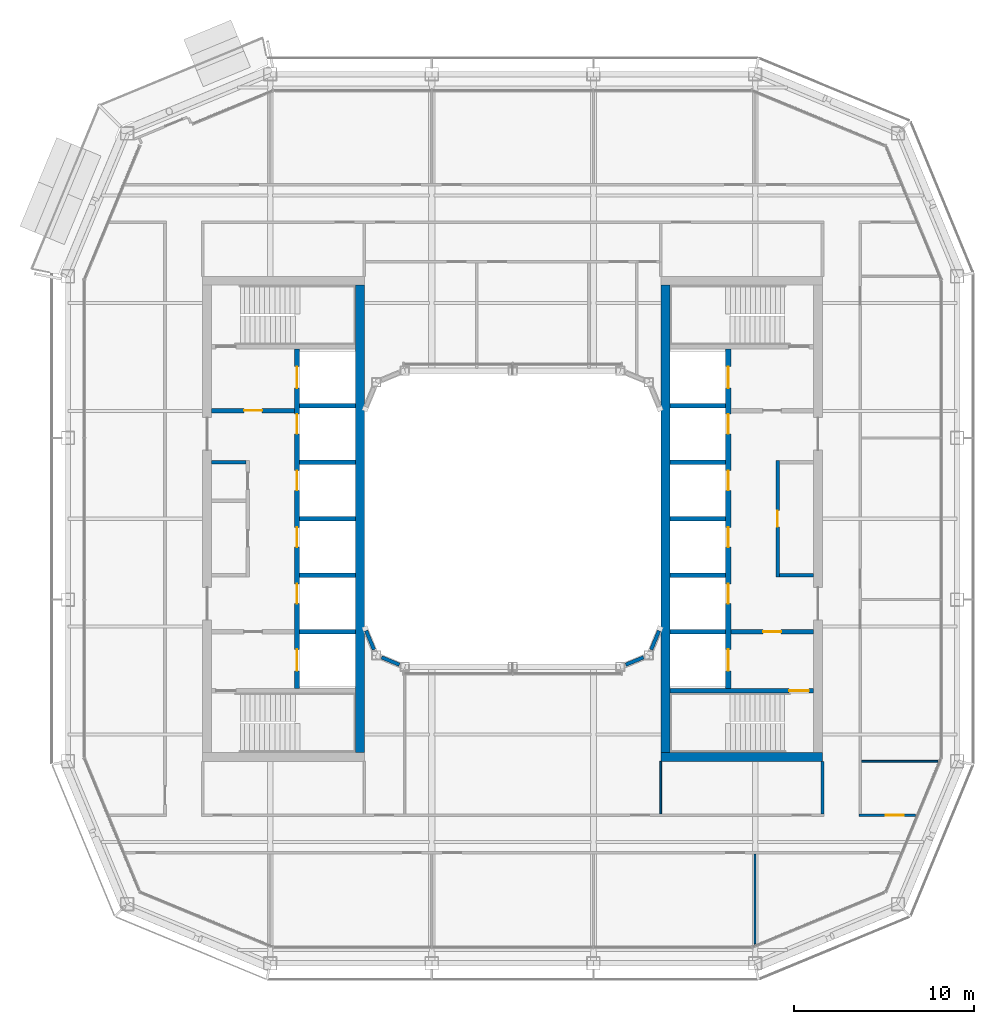
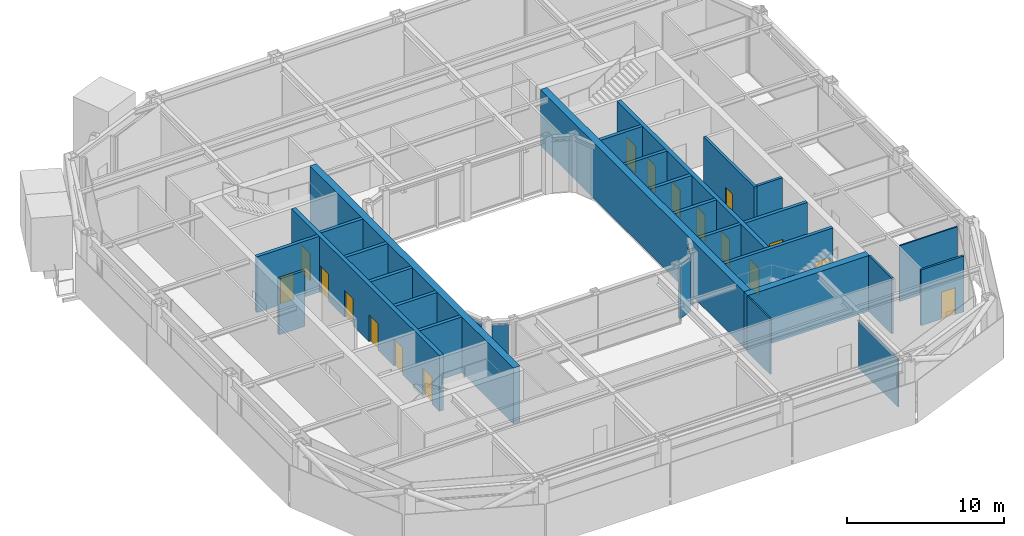
# One storey, part 12 of 21: 30 walls, 17 doors, 17 openings.
"""IFC4 building model written with IfcOpenShell, lengths in metres."""

from ifc_helpers import new_model, si_unit, direction, frame, frame_2d, origin, place, context, subcontext, project, spatial, rectangle, extrude, material, layer, layer_set, type_object, element, fill, save


model = new_model("IFC4")

# Units and contexts
model_context = context("Model", 3, precision=1e-05, world=origin(), true_north=direction((0.0, 1.0)))
body_context = subcontext(model_context, "Body", "Model", "MODEL_VIEW")
ifc_project = project(units=[si_unit("LENGTHUNIT", "METRE"), si_unit("AREAUNIT", "SQUARE_METRE"), si_unit("VOLUMEUNIT", "CUBIC_METRE"), si_unit("PLANEANGLEUNIT", "RADIAN"), si_unit("MASSUNIT", "GRAM", prefix="KILO")], contexts=[model_context])

# Site, building, storey
site_placement = place(None, origin())
site = spatial("IfcSite", under=ifc_project, at=site_placement, CompositionType="ELEMENT")
building_placement = place(site_placement, origin())
building = spatial("IfcBuilding", under=site, at=building_placement, Name="Siwar Civic Tower", CompositionType="ELEMENT")
storey_placement = place(building_placement, frame((0.0, 0.0, 294.199951171875)))
storey = spatial("IfcBuildingStorey", under=building, at=storey_placement, Name="L63", CompositionType="ELEMENT", Elevation=294.199951171875)

# Wall
ifc_material_1 = material(Name="Gypsum board on steel studs", Category="steel")
ifc_layer_1 = layer(ifc_material_1, 0.199951171875)
ifc_layer_set_1 = layer_set([ifc_layer_1], Name="Gypsum board on steel studs")
wall_type_1 = type_object("IfcWallType", Name="CORE-PARTITION-200", PredefinedType="PARTITIONING", material=ifc_layer_set_1)
wall_1_placement = place(storey_placement, frame((-14.85009765625, 3.14990234375, 0.0), z_axis=(0.0, 0.0, 1.0), x_axis=(-1.0, 0.0, 0.0)))
element("IfcWall", 1, at=wall_1_placement, inside=storey, type_object=wall_type_1, Name="Core partition W", PredefinedType="PARTITIONING", context=body_context, shape_type="SweptSolid", body=[
    extrude(rectangle(XDim=1.89990234375, YDim=0.199951171875, at=frame_2d((0.949951171875, 0.0))), origin(), (0.0, 0.0, 1.0), 4.35009765625),
])

# Wall, opening, door
wall_2_placement = place(storey_placement, frame((14.75, -3.25, 0.0), z_axis=(0.0, 0.0, 1.0), x_axis=(0.0, 1.0, 0.0)))
wall_2 = element("IfcWall", 2, at=wall_2_placement, inside=storey, type_object=wall_type_1, Name="Core partition E", PredefinedType="PARTITIONING", context=body_context, shape_type="SweptSolid", body=[
    extrude(rectangle(XDim=6.5, YDim=0.199951171875, at=frame_2d((3.25, 0.0))), origin(), (0.0, 0.0, 1.0), 4.35009765625),
])
opening_1_placement = place(wall_2_placement, frame((2.800048828125, 0.0, 0.0)))
opening_1 = element("IfcOpeningElement", 3, at=opening_1_placement, cuts=wall_2, Name="Opening L63-CE13", PredefinedType="OPENING", context=body_context, shape_type="SweptSolid", body=[
    extrude(rectangle(XDim=0.89990234375, YDim=2.10009765625, at=frame_2d((0.449951171875, 1.050048828125))), frame((0.0, 0.10986328125, 0.0), z_axis=(0.0, -1.0, 0.0), x_axis=(1.0, 0.0, 0.0)), (0.0, 0.0, 1.0), 0.219970703125),
])
ifc_material_2 = material(Name="Steel door leaf", Category="steel")
door_type_1 = type_object("IfcDoorType", Name="CORE-DOOR-ROOM", OperationType="SINGLE_SWING_LEFT", PredefinedType="DOOR", material=ifc_material_2)
door_1_placement = place(opening_1_placement, origin())
door_1 = element("IfcDoor", 4, at=door_1_placement, inside=storey, type_object=door_type_1, Name="Core room door L63-CE13", OperationType="SINGLE_SWING_LEFT", OverallHeight=2.10009765625, OverallWidth=0.89990234375, PredefinedType="DOOR", context=body_context, shape_type="SweptSolid", body=[
    extrude(rectangle(XDim=0.89990234375, YDim=2.10009765625, at=frame_2d((0.449951171875, 1.050048828125))), frame((0.0, 0.02490234375, 0.0), z_axis=(0.0, -1.0, 0.0), x_axis=(1.0, 0.0, 0.0)), (0.0, 0.0, 1.0), 0.050048828125),
])
fill(opening_1, door_1)

# Wall
wall_3_placement = place(storey_placement, frame((14.85009765625, -3.14990234375, 0.0), z_axis=(0.0, 0.0, 1.0), x_axis=(1.0, 0.0, 0.0)))
element("IfcWall", 5, at=wall_3_placement, inside=storey, type_object=wall_type_1, Name="Core partition E", PredefinedType="PARTITIONING", context=body_context, shape_type="SweptSolid", body=[
    extrude(rectangle(XDim=1.89990234375, YDim=0.199951171875, at=frame_2d((0.949951171875, 0.0))), origin(), (0.0, 0.0, 1.0), 4.35009765625),
])

# Wall, opening, door
ifc_material_3 = material(Name="Concrete C60/75", Category="concrete")
ifc_layer_2 = layer(ifc_material_3, 0.25)
ifc_layer_set_2 = layer_set([ifc_layer_2], Name="Concrete C60/75")
wall_type_2 = type_object("IfcWallType", Name="CORE-WALL-RC250", PredefinedType="SHEAR", material=ifc_layer_set_2)
wall_4_placement = place(storey_placement, frame((-12.14990234375, 6.02490234375, 0.0), z_axis=(0.0, 0.0, 1.0), x_axis=(-1.0, 0.0, 0.0)))
wall_4 = element("IfcWall", 6, at=wall_4_placement, inside=storey, type_object=wall_type_2, Name="Core wall W", PredefinedType="SHEAR", context=body_context, shape_type="SweptSolid", body=[
    extrude(rectangle(XDim=4.60009765625, YDim=0.25, at=frame_2d((2.300048828125, 0.0))), origin(), (0.0, 0.0, 1.0), 4.35009765625),
])
opening_2_placement = place(wall_4_placement, frame((1.800048828125, 0.0, 0.0)))
opening_2 = element("IfcOpeningElement", 7, at=opening_2_placement, cuts=wall_4, Name="Opening L63-CW01", PredefinedType="OPENING", context=body_context, shape_type="SweptSolid", body=[
    extrude(rectangle(XDim=1.0, YDim=2.10009765625, at=frame_2d((0.5, 1.050048828125))), frame((0.0, 0.135009765625, 0.0), z_axis=(0.0, -1.0, 0.0), x_axis=(1.0, 0.0, 0.0)), (0.0, 0.0, 1.0), 0.27001953125),
])
ifc_material_4 = material(Name="Steel door leaf", Category="steel")
door_type_2 = type_object("IfcDoorType", Name="CORE-DOOR-FD30S", OperationType="SINGLE_SWING_LEFT", PredefinedType="DOOR", material=ifc_material_4)
door_2_placement = place(opening_2_placement, origin())
door_2 = element("IfcDoor", 8, at=door_2_placement, inside=storey, type_object=door_type_2, Name="Firefighting lobby door L63-CW01", OperationType="SINGLE_SWING_LEFT", OverallHeight=2.10009765625, OverallWidth=1.0, PredefinedType="DOOR", context=body_context, shape_type="SweptSolid", body=[
    extrude(rectangle(XDim=1.0, YDim=2.10009765625, at=frame_2d((0.5, 1.050048828125))), frame((0.0, 0.02490234375, 0.0), z_axis=(0.0, -1.0, 0.0), x_axis=(1.0, 0.0, 0.0)), (0.0, 0.0, 1.0), 0.050048828125),
])
fill(opening_2, door_2)

# Walls
for number, where, z_axis, x_axis, name in (
    (9, (-8.75, 0.0, 0.0), (0.0, 0.0, 1.0), (-1.0, 0.0, 0.0), "Core wall W"),
    (10, (-8.75, 3.14990234375, 0.0), (0.0, 0.0, 1.0), (-1.0, 0.0, 0.0), "Core wall W"),
    (11, (-8.75, 6.300048828125, 0.0), (0.0, 0.0, 1.0), (-1.0, 0.0, 0.0), "Core wall W"),
    (12, (-8.75, -3.14990234375, 0.0), (0.0, 0.0, 1.0), (-1.0, 0.0, 0.0), "Core wall W"),
    (13, (-8.75, -6.300048828125, 0.0), (0.0, 0.0, 1.0), (-1.0, 0.0, 0.0), "Core wall W"),
):
    element("IfcWall", number, at=place(storey_placement, frame(where, z_axis=z_axis, x_axis=x_axis)), inside=storey, type_object=wall_type_2, Name=name, PredefinedType="SHEAR", context=body_context, shape_type="SweptSolid", body=[
        extrude(rectangle(XDim=3.10009765625, YDim=0.25, at=frame_2d((1.550048828125, 0.0))), origin(), (0.0, 0.0, 1.0), 4.35009765625),
    ])

# Wall, opening, door
wall_5_placement = place(storey_placement, frame((12.14990234375, -6.300048828125, 0.0), z_axis=(0.0, 0.0, 1.0), x_axis=(1.0, 0.0, 0.0)))
wall_5 = element("IfcWall", 14, at=wall_5_placement, inside=storey, type_object=wall_type_2, Name="Core wall E", PredefinedType="SHEAR", context=body_context, shape_type="SweptSolid", body=[
    extrude(rectangle(XDim=4.60009765625, YDim=0.25, at=frame_2d((2.300048828125, 0.0))), origin(), (0.0, 0.0, 1.0), 4.35009765625),
])
opening_3_placement = place(wall_5_placement, frame((1.800048828125, 0.0, 0.0)))
opening_3 = element("IfcOpeningElement", 15, at=opening_3_placement, cuts=wall_5, Name="Opening L63-CE02", PredefinedType="OPENING", context=body_context, shape_type="SweptSolid", body=[
    extrude(rectangle(XDim=1.0, YDim=2.10009765625, at=frame_2d((0.5, 1.050048828125))), frame((0.0, 0.135009765625, 0.0), z_axis=(0.0, -1.0, 0.0), x_axis=(1.0, 0.0, 0.0)), (0.0, 0.0, 1.0), 0.27001953125),
])
door_3_placement = place(opening_3_placement, origin())
door_3 = element("IfcDoor", 16, at=door_3_placement, inside=storey, type_object=door_type_2, Name="Service lobby door L63-CE02", OperationType="SINGLE_SWING_LEFT", OverallHeight=2.10009765625, OverallWidth=1.0, PredefinedType="DOOR", context=body_context, shape_type="SweptSolid", body=[
    extrude(rectangle(XDim=1.0, YDim=2.10009765625, at=frame_2d((0.5, 1.050048828125))), frame((0.0, 0.02490234375, 0.0), z_axis=(0.0, -1.0, 0.0), x_axis=(1.0, 0.0, 0.0)), (0.0, 0.0, 1.0), 0.050048828125),
])
fill(opening_3, door_3)

# Walls
for number, where, z_axis, x_axis, name in (
    (17, (8.75, 0.0, 0.0), (0.0, 0.0, 1.0), (1.0, 0.0, 0.0), "Core wall E"),
    (18, (8.75, 3.14990234375, 0.0), (0.0, 0.0, 1.0), (1.0, 0.0, 0.0), "Core wall E"),
    (19, (8.75, 6.300048828125, 0.0), (0.0, 0.0, 1.0), (1.0, 0.0, 0.0), "Core wall E"),
    (20, (8.75, -3.14990234375, 0.0), (0.0, 0.0, 1.0), (1.0, 0.0, 0.0), "Core wall E"),
    (21, (8.75, -6.300048828125, 0.0), (0.0, 0.0, 1.0), (1.0, 0.0, 0.0), "Core wall E"),
):
    element("IfcWall", number, at=place(storey_placement, frame(where, z_axis=z_axis, x_axis=x_axis)), inside=storey, type_object=wall_type_2, Name=name, PredefinedType="SHEAR", context=body_context, shape_type="SweptSolid", body=[
        extrude(rectangle(XDim=3.10009765625, YDim=0.25, at=frame_2d((1.550048828125, 0.0))), origin(), (0.0, 0.0, 1.0), 4.35009765625),
    ])

# Wall, opening, door
wall_6_placement = place(storey_placement, frame((8.75, -9.574951171875, 0.0), z_axis=(0.0, 0.0, 1.0), x_axis=(1.0, 0.0, 0.0)))
wall_6 = element("IfcWall", 22, at=wall_6_placement, inside=storey, type_object=wall_type_2, Name="Core wall E", PredefinedType="SHEAR", context=body_context, shape_type="SweptSolid", body=[
    extrude(rectangle(XDim=8.0, YDim=0.25, at=frame_2d((4.0, 0.0))), origin(), (0.0, 0.0, 1.0), 4.35009765625),
])
opening_4_placement = place(wall_6_placement, frame((6.64990234375, 0.0, 0.0)))
opening_4 = element("IfcOpeningElement", 23, at=opening_4_placement, cuts=wall_6, Name="Opening L63-CE04", PredefinedType="OPENING", context=body_context, shape_type="SweptSolid", body=[
    extrude(rectangle(XDim=1.10009765625, YDim=2.10009765625, at=frame_2d((0.550048828125, 1.050048828125))), frame((0.0, 0.135009765625, 0.0), z_axis=(0.0, -1.0, 0.0), x_axis=(1.0, 0.0, 0.0)), (0.0, 0.0, 1.0), 0.27001953125),
])
ifc_material_5 = material(Name="Steel door leaf", Category="steel")
door_type_3 = type_object("IfcDoorType", Name="CORE-DOOR-FD60S", OperationType="SINGLE_SWING_LEFT", PredefinedType="DOOR", material=ifc_material_5)
door_4_placement = place(opening_4_placement, origin())
door_4 = element("IfcDoor", 24, at=door_4_placement, inside=storey, type_object=door_type_3, Name="Stair door L63-CE04", OperationType="SINGLE_SWING_RIGHT", OverallHeight=2.10009765625, OverallWidth=1.10009765625, PredefinedType="DOOR", context=body_context, shape_type="SweptSolid", body=[
    extrude(rectangle(XDim=1.10009765625, YDim=2.10009765625, at=frame_2d((0.550048828125, 1.050048828125))), frame((0.0, 0.02490234375, 0.0), z_axis=(0.0, -1.0, 0.0), x_axis=(1.0, 0.0, 0.0)), (0.0, 0.0, 1.0), 0.050048828125),
])
fill(opening_4, door_4)

# Wall, openings, doors
ifc_material_6 = material(Name="Concrete C60/75", Category="concrete")
ifc_layer_3 = layer(ifc_material_6, 0.300048828125)
ifc_layer_set_3 = layer_set([ifc_layer_3], Name="Concrete C60/75")
wall_type_3 = type_object("IfcWallType", Name="CORE-WALL-RC300", PredefinedType="SHEAR", material=ifc_layer_set_3)
wall_7_placement = place(storey_placement, frame((-12.0, -9.449951171875, 0.0), z_axis=(0.0, 0.0, 1.0), x_axis=(0.0, 1.0, 0.0)))
wall_7 = element("IfcWall", 25, at=wall_7_placement, inside=storey, type_object=wall_type_3, Name="Core wall W", PredefinedType="SHEAR", context=body_context, shape_type="SweptSolid", body=[
    extrude(rectangle(XDim=18.89990234375, YDim=0.300048828125, at=frame_2d((9.449951171875, 0.0))), origin(), (0.0, 0.0, 1.0), 4.35009765625),
])
opening_5_placement = place(wall_7_placement, frame((4.72509765625, 0.0, 0.0)))
opening_5 = element("IfcOpeningElement", 26, at=opening_5_placement, cuts=wall_7, Name="Opening L63-CW07", PredefinedType="OPENING", context=body_context, shape_type="SweptSolid", body=[
    extrude(rectangle(XDim=1.10009765625, YDim=2.10009765625, at=frame_2d((0.550048828125, 1.050048828125))), frame((0.0, 0.16015625, 0.0), z_axis=(0.0, -1.0, 0.0), x_axis=(1.0, 0.0, 0.0)), (0.0, 0.0, 1.0), 0.320068359375),
])
opening_6_placement = place(wall_7_placement, frame((7.875, 0.0, 0.0)))
opening_6 = element("IfcOpeningElement", 27, at=opening_6_placement, cuts=wall_7, Name="Opening L63-CW08", PredefinedType="OPENING", context=body_context, shape_type="SweptSolid", body=[
    extrude(rectangle(XDim=1.10009765625, YDim=2.10009765625, at=frame_2d((0.550048828125, 1.050048828125))), frame((0.0, 0.16015625, 0.0), z_axis=(0.0, -1.0, 0.0), x_axis=(1.0, 0.0, 0.0)), (0.0, 0.0, 1.0), 0.320068359375),
])
opening_7_placement = place(wall_7_placement, frame((11.02490234375, 0.0, 0.0)))
opening_7 = element("IfcOpeningElement", 28, at=opening_7_placement, cuts=wall_7, Name="Opening L63-CW09", PredefinedType="OPENING", context=body_context, shape_type="SweptSolid", body=[
    extrude(rectangle(XDim=1.10009765625, YDim=2.10009765625, at=frame_2d((0.550048828125, 1.050048828125))), frame((0.0, 0.16015625, 0.0), z_axis=(0.0, -1.0, 0.0), x_axis=(1.0, 0.0, 0.0)), (0.0, 0.0, 1.0), 0.320068359375),
])
opening_8_placement = place(wall_7_placement, frame((14.175048828125, 0.0, 0.0)))
opening_8 = element("IfcOpeningElement", 29, at=opening_8_placement, cuts=wall_7, Name="Opening L63-CW10", PredefinedType="OPENING", context=body_context, shape_type="SweptSolid", body=[
    extrude(rectangle(XDim=1.10009765625, YDim=2.10009765625, at=frame_2d((0.550048828125, 1.050048828125))), frame((0.0, 0.16015625, 0.0), z_axis=(0.0, -1.0, 0.0), x_axis=(1.0, 0.0, 0.0)), (0.0, 0.0, 1.0), 0.320068359375),
])
opening_9_placement = place(wall_7_placement, frame((16.72509765625, 0.0, 0.0)))
opening_9 = element("IfcOpeningElement", 30, at=opening_9_placement, cuts=wall_7, Name="Opening L63-CW11", PredefinedType="OPENING", context=body_context, shape_type="SweptSolid", body=[
    extrude(rectangle(XDim=1.199951171875, YDim=2.10009765625, at=frame_2d((0.60009765625, 1.050048828125))), frame((0.0, 0.16015625, 0.0), z_axis=(0.0, -1.0, 0.0), x_axis=(1.0, 0.0, 0.0)), (0.0, 0.0, 1.0), 0.320068359375),
])
opening_10_placement = place(wall_7_placement, frame((0.97509765625, 0.0, 0.0)))
opening_10 = element("IfcOpeningElement", 31, at=opening_10_placement, cuts=wall_7, Name="Opening L63-CW12", PredefinedType="OPENING", context=body_context, shape_type="SweptSolid", body=[
    extrude(rectangle(XDim=1.199951171875, YDim=2.10009765625, at=frame_2d((0.60009765625, 1.050048828125))), frame((0.0, 0.16015625, 0.0), z_axis=(0.0, -1.0, 0.0), x_axis=(1.0, 0.0, 0.0)), (0.0, 0.0, 1.0), 0.320068359375),
])
ifc_material_7 = material(Name="Steel door leaf", Category="steel")
door_type_4 = type_object("IfcDoorType", Name="CORE-DOOR-LD", OperationType="DOUBLE_DOOR_SLIDING", PredefinedType="DOOR", material=ifc_material_7)
door_5_placement = place(opening_5_placement, origin())
door_5 = element("IfcDoor", 32, at=door_5_placement, inside=storey, type_object=door_type_4, Name="Landing door HR1 L63-CW07", OperationType="DOUBLE_DOOR_SLIDING", OverallHeight=2.10009765625, OverallWidth=1.10009765625, PredefinedType="DOOR", context=body_context, shape_type="SweptSolid", body=[
    extrude(rectangle(XDim=1.10009765625, YDim=2.10009765625, at=frame_2d((0.550048828125, 1.050048828125))), frame((0.0, 0.02490234375, 0.0), z_axis=(0.0, -1.0, 0.0), x_axis=(1.0, 0.0, 0.0)), (0.0, 0.0, 1.0), 0.050048828125),
])
fill(opening_5, door_5)
door_6_placement = place(opening_6_placement, origin())
door_6 = element("IfcDoor", 33, at=door_6_placement, inside=storey, type_object=door_type_4, Name="Landing door HR2 L63-CW08", OperationType="DOUBLE_DOOR_SLIDING", OverallHeight=2.10009765625, OverallWidth=1.10009765625, PredefinedType="DOOR", context=body_context, shape_type="SweptSolid", body=[
    extrude(rectangle(XDim=1.10009765625, YDim=2.10009765625, at=frame_2d((0.550048828125, 1.050048828125))), frame((0.0, 0.02490234375, 0.0), z_axis=(0.0, -1.0, 0.0), x_axis=(1.0, 0.0, 0.0)), (0.0, 0.0, 1.0), 0.050048828125),
])
fill(opening_6, door_6)
door_7_placement = place(opening_7_placement, origin())
door_7 = element("IfcDoor", 34, at=door_7_placement, inside=storey, type_object=door_type_4, Name="Landing door HR3 L63-CW09", OperationType="DOUBLE_DOOR_SLIDING", OverallHeight=2.10009765625, OverallWidth=1.10009765625, PredefinedType="DOOR", context=body_context, shape_type="SweptSolid", body=[
    extrude(rectangle(XDim=1.10009765625, YDim=2.10009765625, at=frame_2d((0.550048828125, 1.050048828125))), frame((0.0, 0.02490234375, 0.0), z_axis=(0.0, -1.0, 0.0), x_axis=(1.0, 0.0, 0.0)), (0.0, 0.0, 1.0), 0.050048828125),
])
fill(opening_7, door_7)
door_8_placement = place(opening_8_placement, origin())
door_8 = element("IfcDoor", 35, at=door_8_placement, inside=storey, type_object=door_type_4, Name="Landing door HR4 L63-CW10", OperationType="DOUBLE_DOOR_SLIDING", OverallHeight=2.10009765625, OverallWidth=1.10009765625, PredefinedType="DOOR", context=body_context, shape_type="SweptSolid", body=[
    extrude(rectangle(XDim=1.10009765625, YDim=2.10009765625, at=frame_2d((0.550048828125, 1.050048828125))), frame((0.0, 0.02490234375, 0.0), z_axis=(0.0, -1.0, 0.0), x_axis=(1.0, 0.0, 0.0)), (0.0, 0.0, 1.0), 0.050048828125),
])
fill(opening_8, door_8)
ifc_material_8 = material(Name="Steel door leaf", Category="steel")
door_type_5 = type_object("IfcDoorType", Name="CORE-DOOR-LDW", OperationType="DOUBLE_DOOR_SLIDING", PredefinedType="DOOR", material=ifc_material_8)
door_9_placement = place(opening_9_placement, origin())
door_9 = element("IfcDoor", 36, at=door_9_placement, inside=storey, type_object=door_type_5, Name="Landing door FF1 L63-CW11", OperationType="DOUBLE_DOOR_SLIDING", OverallHeight=2.10009765625, OverallWidth=1.199951171875, PredefinedType="DOOR", context=body_context, shape_type="SweptSolid", body=[
    extrude(rectangle(XDim=1.199951171875, YDim=2.10009765625, at=frame_2d((0.60009765625, 1.050048828125))), frame((0.0, 0.02490234375, 0.0), z_axis=(0.0, -1.0, 0.0), x_axis=(1.0, 0.0, 0.0)), (0.0, 0.0, 1.0), 0.050048828125),
])
fill(opening_9, door_9)
door_10_placement = place(opening_10_placement, origin())
door_10 = element("IfcDoor", 37, at=door_10_placement, inside=storey, type_object=door_type_5, Name="Landing door SV1 L63-CW12", OperationType="DOUBLE_DOOR_SLIDING", OverallHeight=2.10009765625, OverallWidth=1.199951171875, PredefinedType="DOOR", context=body_context, shape_type="SweptSolid", body=[
    extrude(rectangle(XDim=1.199951171875, YDim=2.10009765625, at=frame_2d((0.60009765625, 1.050048828125))), frame((0.0, 0.02490234375, 0.0), z_axis=(0.0, -1.0, 0.0), x_axis=(1.0, 0.0, 0.0)), (0.0, 0.0, 1.0), 0.050048828125),
])
fill(opening_10, door_10)

wall_8_placement = place(storey_placement, frame((12.0, -9.449951171875, 0.0), z_axis=(0.0, 0.0, 1.0), x_axis=(0.0, 1.0, 0.0)))
wall_8 = element("IfcWall", 38, at=wall_8_placement, inside=storey, type_object=wall_type_3, Name="Core wall E", PredefinedType="SHEAR", context=body_context, shape_type="SweptSolid", body=[
    extrude(rectangle(XDim=18.89990234375, YDim=0.300048828125, at=frame_2d((9.449951171875, 0.0))), origin(), (0.0, 0.0, 1.0), 4.35009765625),
])
opening_11_placement = place(wall_8_placement, frame((4.72509765625, 0.0, 0.0)))
opening_11 = element("IfcOpeningElement", 39, at=opening_11_placement, cuts=wall_8, Name="Opening L63-CE07", PredefinedType="OPENING", context=body_context, shape_type="SweptSolid", body=[
    extrude(rectangle(XDim=1.10009765625, YDim=2.10009765625, at=frame_2d((0.550048828125, 1.050048828125))), frame((0.0, 0.16015625, 0.0), z_axis=(0.0, -1.0, 0.0), x_axis=(1.0, 0.0, 0.0)), (0.0, 0.0, 1.0), 0.320068359375),
])
opening_12_placement = place(wall_8_placement, frame((7.875, 0.0, 0.0)))
opening_12 = element("IfcOpeningElement", 40, at=opening_12_placement, cuts=wall_8, Name="Opening L63-CE08", PredefinedType="OPENING", context=body_context, shape_type="SweptSolid", body=[
    extrude(rectangle(XDim=1.10009765625, YDim=2.10009765625, at=frame_2d((0.550048828125, 1.050048828125))), frame((0.0, 0.16015625, 0.0), z_axis=(0.0, -1.0, 0.0), x_axis=(1.0, 0.0, 0.0)), (0.0, 0.0, 1.0), 0.320068359375),
])
opening_13_placement = place(wall_8_placement, frame((11.02490234375, 0.0, 0.0)))
opening_13 = element("IfcOpeningElement", 41, at=opening_13_placement, cuts=wall_8, Name="Opening L63-CE09", PredefinedType="OPENING", context=body_context, shape_type="SweptSolid", body=[
    extrude(rectangle(XDim=1.10009765625, YDim=2.10009765625, at=frame_2d((0.550048828125, 1.050048828125))), frame((0.0, 0.16015625, 0.0), z_axis=(0.0, -1.0, 0.0), x_axis=(1.0, 0.0, 0.0)), (0.0, 0.0, 1.0), 0.320068359375),
])
opening_14_placement = place(wall_8_placement, frame((14.175048828125, 0.0, 0.0)))
opening_14 = element("IfcOpeningElement", 42, at=opening_14_placement, cuts=wall_8, Name="Opening L63-CE10", PredefinedType="OPENING", context=body_context, shape_type="SweptSolid", body=[
    extrude(rectangle(XDim=1.10009765625, YDim=2.10009765625, at=frame_2d((0.550048828125, 1.050048828125))), frame((0.0, 0.16015625, 0.0), z_axis=(0.0, -1.0, 0.0), x_axis=(1.0, 0.0, 0.0)), (0.0, 0.0, 1.0), 0.320068359375),
])
opening_15_placement = place(wall_8_placement, frame((16.72509765625, 0.0, 0.0)))
opening_15 = element("IfcOpeningElement", 43, at=opening_15_placement, cuts=wall_8, Name="Opening L63-CE11", PredefinedType="OPENING", context=body_context, shape_type="SweptSolid", body=[
    extrude(rectangle(XDim=1.199951171875, YDim=2.10009765625, at=frame_2d((0.60009765625, 1.050048828125))), frame((0.0, 0.16015625, 0.0), z_axis=(0.0, -1.0, 0.0), x_axis=(1.0, 0.0, 0.0)), (0.0, 0.0, 1.0), 0.320068359375),
])
opening_16_placement = place(wall_8_placement, frame((0.97509765625, 0.0, 0.0)))
opening_16 = element("IfcOpeningElement", 44, at=opening_16_placement, cuts=wall_8, Name="Opening L63-CE12", PredefinedType="OPENING", context=body_context, shape_type="SweptSolid", body=[
    extrude(rectangle(XDim=1.199951171875, YDim=2.10009765625, at=frame_2d((0.60009765625, 1.050048828125))), frame((0.0, 0.16015625, 0.0), z_axis=(0.0, -1.0, 0.0), x_axis=(1.0, 0.0, 0.0)), (0.0, 0.0, 1.0), 0.320068359375),
])
door_11_placement = place(opening_11_placement, origin())
door_11 = element("IfcDoor", 45, at=door_11_placement, inside=storey, type_object=door_type_4, Name="Landing door HR5 L63-CE07", OperationType="DOUBLE_DOOR_SLIDING", OverallHeight=2.10009765625, OverallWidth=1.10009765625, PredefinedType="DOOR", context=body_context, shape_type="SweptSolid", body=[
    extrude(rectangle(XDim=1.10009765625, YDim=2.10009765625, at=frame_2d((0.550048828125, 1.050048828125))), frame((0.0, 0.02490234375, 0.0), z_axis=(0.0, -1.0, 0.0), x_axis=(1.0, 0.0, 0.0)), (0.0, 0.0, 1.0), 0.050048828125),
])
fill(opening_11, door_11)
door_12_placement = place(opening_12_placement, origin())
door_12 = element("IfcDoor", 46, at=door_12_placement, inside=storey, type_object=door_type_4, Name="Landing door HR6 L63-CE08", OperationType="DOUBLE_DOOR_SLIDING", OverallHeight=2.10009765625, OverallWidth=1.10009765625, PredefinedType="DOOR", context=body_context, shape_type="SweptSolid", body=[
    extrude(rectangle(XDim=1.10009765625, YDim=2.10009765625, at=frame_2d((0.550048828125, 1.050048828125))), frame((0.0, 0.02490234375, 0.0), z_axis=(0.0, -1.0, 0.0), x_axis=(1.0, 0.0, 0.0)), (0.0, 0.0, 1.0), 0.050048828125),
])
fill(opening_12, door_12)
door_13_placement = place(opening_13_placement, origin())
door_13 = element("IfcDoor", 47, at=door_13_placement, inside=storey, type_object=door_type_4, Name="Landing door HR7 L63-CE09", OperationType="DOUBLE_DOOR_SLIDING", OverallHeight=2.10009765625, OverallWidth=1.10009765625, PredefinedType="DOOR", context=body_context, shape_type="SweptSolid", body=[
    extrude(rectangle(XDim=1.10009765625, YDim=2.10009765625, at=frame_2d((0.550048828125, 1.050048828125))), frame((0.0, 0.02490234375, 0.0), z_axis=(0.0, -1.0, 0.0), x_axis=(1.0, 0.0, 0.0)), (0.0, 0.0, 1.0), 0.050048828125),
])
fill(opening_13, door_13)
door_14_placement = place(opening_14_placement, origin())
door_14 = element("IfcDoor", 48, at=door_14_placement, inside=storey, type_object=door_type_4, Name="Landing door HR8 L63-CE10", OperationType="DOUBLE_DOOR_SLIDING", OverallHeight=2.10009765625, OverallWidth=1.10009765625, PredefinedType="DOOR", context=body_context, shape_type="SweptSolid", body=[
    extrude(rectangle(XDim=1.10009765625, YDim=2.10009765625, at=frame_2d((0.550048828125, 1.050048828125))), frame((0.0, 0.02490234375, 0.0), z_axis=(0.0, -1.0, 0.0), x_axis=(1.0, 0.0, 0.0)), (0.0, 0.0, 1.0), 0.050048828125),
])
fill(opening_14, door_14)
door_15_placement = place(opening_15_placement, origin())
door_15 = element("IfcDoor", 49, at=door_15_placement, inside=storey, type_object=door_type_5, Name="Landing door FF2 L63-CE11", OperationType="DOUBLE_DOOR_SLIDING", OverallHeight=2.10009765625, OverallWidth=1.199951171875, PredefinedType="DOOR", context=body_context, shape_type="SweptSolid", body=[
    extrude(rectangle(XDim=1.199951171875, YDim=2.10009765625, at=frame_2d((0.60009765625, 1.050048828125))), frame((0.0, 0.02490234375, 0.0), z_axis=(0.0, -1.0, 0.0), x_axis=(1.0, 0.0, 0.0)), (0.0, 0.0, 1.0), 0.050048828125),
])
fill(opening_15, door_15)
door_16_placement = place(opening_16_placement, origin())
door_16 = element("IfcDoor", 50, at=door_16_placement, inside=storey, type_object=door_type_5, Name="Landing door SV2 L63-CE12", OperationType="DOUBLE_DOOR_SLIDING", OverallHeight=2.10009765625, OverallWidth=1.199951171875, PredefinedType="DOOR", context=body_context, shape_type="SweptSolid", body=[
    extrude(rectangle(XDim=1.199951171875, YDim=2.10009765625, at=frame_2d((0.60009765625, 1.050048828125))), frame((0.0, 0.02490234375, 0.0), z_axis=(0.0, -1.0, 0.0), x_axis=(1.0, 0.0, 0.0)), (0.0, 0.0, 1.0), 0.050048828125),
])
fill(opening_16, door_16)

# Walls
ifc_material_9 = material(Name="Concrete C60/75", Category="concrete")
ifc_layer_4 = layer(ifc_material_9, 0.5)
ifc_layer_set_4 = layer_set([ifc_layer_4], Name="Concrete C60/75")
wall_type_4 = type_object("IfcWallType", Name="CORE-WALL-RC500", PredefinedType="SHEAR", material=ifc_layer_set_4)
wall_9_placement = place(storey_placement, frame((8.25, -13.25, 0.0), z_axis=(0.0, 0.0, 1.0), x_axis=(1.0, 0.0, 0.0)))
element("IfcWall", 51, at=wall_9_placement, inside=storey, type_object=wall_type_4, Name="Core wall E", PredefinedType="SHEAR", context=body_context, shape_type="SweptSolid", body=[
    extrude(rectangle(XDim=9.0, YDim=0.5, at=frame_2d((4.5, 0.0))), origin(), (0.0, 0.0, 1.0), 4.35009765625),
])
ifc_material_10 = material(Name="Concrete C60/75", Category="concrete")
ifc_layer_5 = layer(ifc_material_10, 0.5)
ifc_layer_set_5 = layer_set([ifc_layer_5], Name="Concrete C60/75")
wall_type_5 = type_object("IfcWallType", Name="CORE-WALL-RC500-EXT", PredefinedType="SHEAR", material=ifc_layer_set_5)
for number, where, z_axis, x_axis, name in (
    (52, (-8.5, -13.0, 0.0), (0.0, 0.0, 1.0), (0.0, 1.0, 0.0), "Core wall W"),
    (53, (8.5, -13.0, 0.0), (0.0, 0.0, 1.0), (0.0, 1.0, 0.0), "Core wall E"),
):
    element("IfcWall", number, at=place(storey_placement, frame(where, z_axis=z_axis, x_axis=x_axis)), inside=storey, type_object=wall_type_5, Name=name, PredefinedType="SHEAR", context=body_context, shape_type="SweptSolid", body=[
        extrude(rectangle(XDim=26.0, YDim=0.5, at=frame_2d((13.0, 0.0))), origin(), (0.0, 0.0, 1.0), 4.35009765625),
    ])

# Wall, opening, door
ifc_material_11 = material(Name="Gypsum board on steel studs", Category="steel")
ifc_layer_6 = layer(ifc_material_11, 0.14990234375)
ifc_layer_set_6 = layer_set([ifc_layer_6], Name="Gypsum board on steel studs")
wall_type_6 = type_object("IfcWallType", Name="CORRIDOR PARTITION 150 EI 30", PredefinedType="PARTITIONING", material=ifc_layer_set_6)
wall_10_placement = place(storey_placement, frame((19.27490234375, -16.5, 0.0), z_axis=(0.0, 0.0, 1.0), x_axis=(1.0, 0.0, 0.0)))
wall_10 = element("IfcWall", 54, at=wall_10_placement, inside=storey, type_object=wall_type_6, Name="L63/wall/P04", PredefinedType="PARTITIONING", context=body_context, shape_type="SweptSolid", body=[
    extrude(rectangle(XDim=3.1611328125, YDim=0.14990234375, at=frame_2d((1.58056640625, 0.0))), origin(), (0.0, 0.0, 1.0), 4.35009765625),
])
opening_17_placement = place(wall_10_placement, frame((1.510986328125, 0.0, 0.0)))
opening_17 = element("IfcOpeningElement", 55, at=opening_17_placement, cuts=wall_10, Name="Opening D1", PredefinedType="OPENING", context=body_context, shape_type="SweptSolid", body=[
    extrude(rectangle(XDim=1.0, YDim=2.10009765625, at=frame_2d((0.5, 1.050048828125))), frame((0.0, 0.0849609375, 0.0), z_axis=(0.0, -1.0, 0.0), x_axis=(1.0, 0.0, 0.0)), (0.0, 0.0, 1.0), 0.169921875),
])
ifc_material_12 = material(Name="Timber, painted", Category="wood")
door_type_6 = type_object("IfcDoorType", Name="DOOR 1000 X 2100 FD30", OperationType="SINGLE_SWING_LEFT", PredefinedType="DOOR", material=ifc_material_12)
door_17_placement = place(opening_17_placement, origin())
door_17 = element("IfcDoor", 56, at=door_17_placement, inside=storey, type_object=door_type_6, Name="L63-D23", OperationType="SINGLE_SWING_LEFT", OverallHeight=2.10009765625, OverallWidth=1.0, PredefinedType="DOOR", context=body_context, shape_type="SweptSolid", body=[
    extrude(rectangle(XDim=1.0, YDim=2.10009765625, at=frame_2d((0.5, 1.050048828125))), frame((0.0, 0.02490234375, 0.0), z_axis=(0.0, -1.0, 0.0), x_axis=(1.0, 0.0, 0.0)), (0.0, 0.0, 1.0), 0.050048828125),
])
fill(opening_17, door_17)

# Walls
wall_11_placement = place(storey_placement, frame((17.25, -16.425048828125, 0.0), z_axis=(0.0, 0.0, 1.0), x_axis=(0.0, 1.0, 0.0)))
element("IfcWall", 57, at=wall_11_placement, inside=storey, type_object=wall_type_6, Name="L63/wall/P35", PredefinedType="PARTITIONING", context=body_context, shape_type="SweptSolid", body=[
    extrude(rectangle(XDim=2.925048828125, YDim=0.14990234375, at=frame_2d((1.46240234375, 0.0))), origin(), (0.0, 0.0, 1.0), 4.35009765625),
])
ifc_material_13 = material(Name="Aluminium clad insulated panel", Category="aluminium")
ifc_layer_7 = layer(ifc_material_13, 0.199951171875)
ifc_layer_set_7 = layer_set([ifc_layer_7], Name="Aluminium clad insulated panel")
wall_type_7 = type_object("IfcWallType", Name="ENV-WALL-WELL", PredefinedType="STANDARD", material=ifc_layer_set_7)
wall_12_placement = place(storey_placement, frame((6.3017578125, -8.125, 0.0), z_axis=(0.0, 0.0, 1.0), x_axis=(0.923919409248, 0.382587147216, 0.0)))
element("IfcWall", 58, at=wall_12_placement, inside=storey, type_object=wall_type_7, Name="Light well corner wall SE1", PredefinedType="STANDARD", context=body_context, shape_type="SweptSolid", body=[
    extrude(rectangle(XDim=1.06884765625, YDim=0.199951171875, at=frame_2d((0.534423828125, 0.0))), origin(), (0.0, 0.0, 1.0), 4.010009765625),
])
for number, where, z_axis, x_axis, name in (
    (59, (7.716064453125, -7.289306640625, 0.0), (0.0, 0.0, 1.0), (0.382571404949, 0.923925927829, 0.0), "Light well corner wall SE2"),
    (60, (-8.154296875, -6.23095703125, 0.0), (0.0, 0.0, 1.0), (0.382571404949, -0.923925927829, 0.0), "Light well corner wall SW1"),
):
    element("IfcWall", number, at=place(storey_placement, frame(where, z_axis=z_axis, x_axis=x_axis)), inside=storey, type_object=wall_type_7, Name=name, PredefinedType="STANDARD", context=body_context, shape_type="SweptSolid", body=[
        extrude(rectangle(XDim=1.1455078125, YDim=0.199951171875, at=frame_2d((0.57275390625, 0.0))), origin(), (0.0, 0.0, 1.0), 4.010009765625),
    ])
wall_13_placement = place(storey_placement, frame((-7.289306640625, -7.716064453125, 0.0), z_axis=(0.0, 0.0, 1.0), x_axis=(0.923919409248, -0.382587147216, 0.0)))
element("IfcWall", 61, at=wall_13_placement, inside=storey, type_object=wall_type_7, Name="Light well corner wall SW2", PredefinedType="STANDARD", context=body_context, shape_type="SweptSolid", body=[
    extrude(rectangle(XDim=1.06884765625, YDim=0.199951171875, at=frame_2d((0.534423828125, 0.0))), origin(), (0.0, 0.0, 1.0), 4.010009765625),
])
ifc_material_14 = material(Name="Gypsum board on steel studs", Category="steel")
ifc_layer_8 = layer(ifc_material_14, 0.10009765625)
ifc_layer_set_8 = layer_set([ifc_layer_8], Name="Gypsum board on steel studs")
wall_type_8 = type_object("IfcWallType", Name="PARTITION 100 GYPSUM", PredefinedType="PARTITIONING", material=ifc_layer_set_8)
wall_14_placement = place(storey_placement, frame((19.425048828125, -13.5, 0.0), z_axis=(0.0, 0.0, 1.0), x_axis=(1.0, 0.0, 0.0)))
element("IfcWall", 62, at=wall_14_placement, inside=storey, type_object=wall_type_8, Name="L63/wall/P05", PredefinedType="PARTITIONING", context=body_context, shape_type="SweptSolid", body=[
    extrude(rectangle(XDim=4.2529296875, YDim=0.10009765625, at=frame_2d((2.12646484375, 0.0))), origin(), (0.0, 0.0, 1.0), 4.35009765625),
])
wall_15_placement = place(storey_placement, frame((8.25, -16.425048828125, 0.0), z_axis=(0.0, 0.0, 1.0), x_axis=(0.0, 1.0, 0.0)))
element("IfcWall", 63, at=wall_15_placement, inside=storey, type_object=wall_type_8, Name="L63/wall/P30", PredefinedType="PARTITIONING", context=body_context, shape_type="SweptSolid", body=[
    extrude(rectangle(XDim=2.925048828125, YDim=0.10009765625, at=frame_2d((1.46240234375, 0.0))), origin(), (0.0, 0.0, 1.0), 4.35009765625),
])
wall_16_placement = place(storey_placement, frame((13.5, -23.677978515625, 0.0), z_axis=(0.0, 0.0, 1.0), x_axis=(0.0, 1.0, 0.0)))
element("IfcWall", 64, at=wall_16_placement, inside=storey, type_object=wall_type_8, Name="L63/wall/P33", PredefinedType="PARTITIONING", context=body_context, shape_type="SweptSolid", body=[
    extrude(rectangle(XDim=5.0029296875, YDim=0.10009765625, at=frame_2d((2.50146484375, 0.0))), origin(), (0.0, 0.0, 1.0), 3.75),
])

save(model, "model.ifc")
